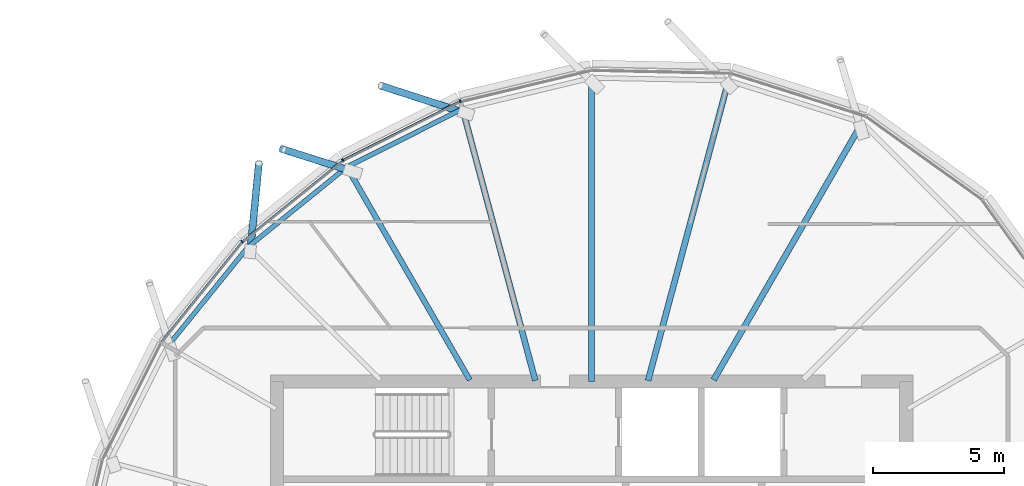
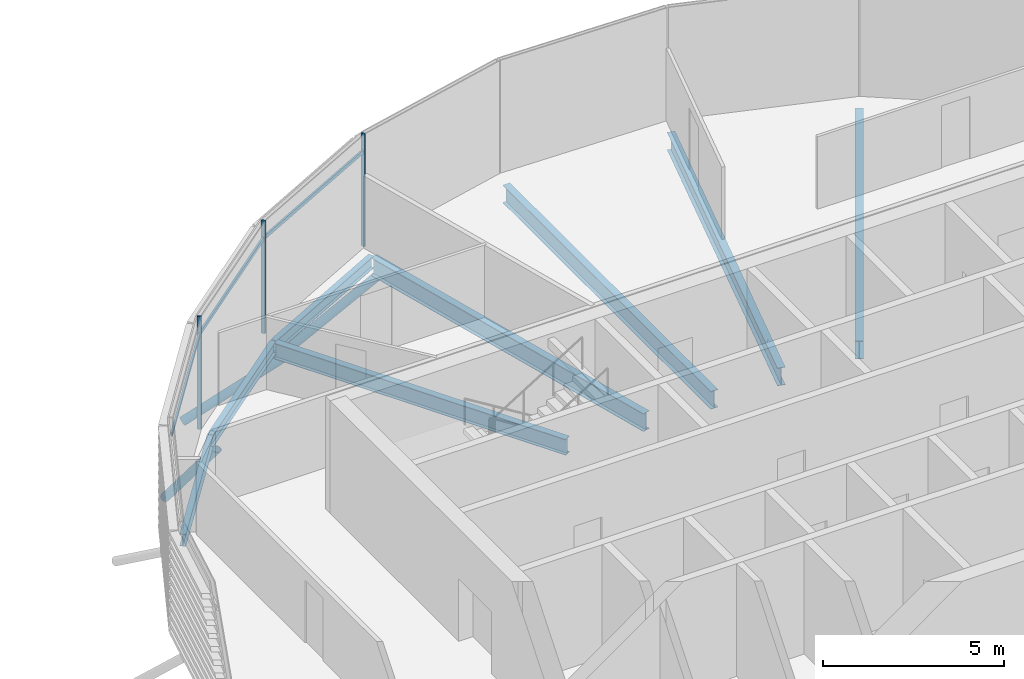
# One storey, part 13 of 38: 9 members, 8 beams, 1 element without a shape of its own.
"""IFC4 building model written with IfcOpenShell, lengths in metres."""

from ifc_helpers import new_model, si_unit, direction, frame, origin, origin_2d, place, context, subcontext, project, spatial, rectangle, hollow_circle, i_section, extrude, clip, halfspace, material, material_profile, profile_set, type_object, element, aggregate, save


model = new_model("IFC4")

# Units and contexts
model_context = context("Model", 3, precision=1e-05, world=origin(), true_north=direction((0.0, 1.0)))
body_context = subcontext(model_context, "Body", "Model", "MODEL_VIEW")
ifc_project = project(units=[si_unit("LENGTHUNIT", "METRE"), si_unit("AREAUNIT", "SQUARE_METRE"), si_unit("VOLUMEUNIT", "CUBIC_METRE"), si_unit("PLANEANGLEUNIT", "RADIAN"), si_unit("MASSUNIT", "GRAM", prefix="KILO")], contexts=[model_context])

# Site, building, storey
site_placement = place(None, origin())
site = spatial("IfcSite", under=ifc_project, at=site_placement, CompositionType="ELEMENT")
building_placement = place(site_placement, origin())
building = spatial("IfcBuilding", under=site, at=building_placement, Name="Rimbun Link Towers", CompositionType="ELEMENT")
storey_placement = place(building_placement, frame((0.0, 0.0, 218.10009765625)))
storey = spatial("IfcBuildingStorey", under=building, at=storey_placement, Name="L53", CompositionType="ELEMENT", Elevation=218.10009765625)

# Curtain wall, members
ifc_material_1 = material(Name="Aluminium 6063-T6 and low-iron glass", Category="aluminium")
curtain_wall_type = type_object("IfcCurtainWallType", Name="CW1-Z4 unitised vision wall (zone 4)", PredefinedType="NOTDEFINED", material=ifc_material_1)
curtain_wall_placement = place(storey_placement, origin())
curtain_wall = element("IfcCurtainWall", 1, at=curtain_wall_placement, inside=storey, type_object=curtain_wall_type, Name="CW1 L53 T2", PredefinedType="NOTDEFINED")
ifc_material_2 = material(Name="Aluminium 6063-T6", Category="aluminium")
ifc_material_profile_1 = material_profile(ifc_material_2, rectangle(XDim=0.1201171875, YDim=0.06005859375, at=origin_2d()), Name="MULLION 60X120")
ifc_profile_set_1 = profile_set([ifc_material_profile_1], Name="Aluminium 6063-T6")
member_type_1 = type_object("IfcMemberType", Name="CW1 mullion 60X120", PredefinedType="MULLION", material=ifc_profile_set_1)
member_1_placement = place(storey_placement, frame((26.734375, 18.697998046875, 0.0), z_axis=(0.0, 0.0, 1.0), x_axis=(-0.342959504693, 0.939350189301, 0.0)))
member_1 = element("IfcMember", 2, at=member_1_placement, type_object=member_type_1, Name="CW1 mullion", PredefinedType="MULLION", context=body_context, shape_type="SweptSolid", body=[
    extrude(rectangle(XDim=0.1201171875, YDim=0.06005859375, at=origin_2d()), origin(), (0.0, 0.0, 1.0), 3.7998046875),
])
member_2_placement = place(storey_placement, frame((22.2509765625, 16.44677734375, 0.0), z_axis=(0.0, 0.0, 1.0), x_axis=(-0.542100279911, 0.84031380241, 0.0)))
member_2 = element("IfcMember", 3, at=member_2_placement, type_object=member_type_1, Name="CW1 mullion", PredefinedType="MULLION", context=body_context, shape_type="SweptSolid", body=[
    extrude(rectangle(XDim=0.1201171875, YDim=0.06005859375, at=origin_2d()), origin(), (0.0, 0.0, 1.0), 3.7998046875),
])
member_3_placement = place(storey_placement, frame((18.411376953125, 13.338623046875, 0.0), z_axis=(0.0, 0.0, 1.0), x_axis=(-0.707106781187, 0.707106781187, 0.0)))
member_3 = element("IfcMember", 4, at=member_3_placement, type_object=member_type_1, Name="CW1 mullion", PredefinedType="MULLION", context=body_context, shape_type="SweptSolid", body=[
    extrude(rectangle(XDim=0.1201171875, YDim=0.06005859375, at=origin_2d()), origin(), (0.0, 0.0, 1.0), 3.7998046875),
])
ifc_material_3 = material(Name="Aluminium 6063-T6", Category="aluminium")
ifc_material_profile_2 = material_profile(ifc_material_3, rectangle(XDim=0.06005859375, YDim=0.1201171875, at=origin_2d()), Name="TRANSOM 60X120")
ifc_profile_set_2 = profile_set([ifc_material_profile_2], Name="Aluminium 6063-T6")
member_type_2 = type_object("IfcMemberType", Name="CW1 transom 60X120", PredefinedType="USERDEFINED", material=ifc_profile_set_2)
member_4_placement = place(storey_placement, frame((22.284423828125, 16.461669921875, 3.199951171875), z_axis=(0.893645525602, 0.448773522583, 0.0), x_axis=(-0.448773522583, 0.893645525602, 0.0)))
member_4 = element("IfcMember", 5, at=member_4_placement, type_object=member_type_2, Name="CW1 transom", ObjectType="TRANSOM", PredefinedType="USERDEFINED", context=body_context, shape_type="SweptSolid", body=[
    extrude(rectangle(XDim=0.06005859375, YDim=0.1201171875, at=origin_2d()), origin(), (0.0, 0.0, 1.0), 4.943603515625),
])
member_5_placement = place(storey_placement, frame((18.440673828125, 13.360107421875, 3.199951171875), z_axis=(0.777254215196, 0.629186685301, 0.0), x_axis=(-0.629186685301, 0.777254215196, 0.0)))
member_5 = element("IfcMember", 6, at=member_5_placement, type_object=member_type_2, Name="CW1 transom", ObjectType="TRANSOM", PredefinedType="USERDEFINED", context=body_context, shape_type="SweptSolid", body=[
    extrude(rectangle(XDim=0.06005859375, YDim=0.1201171875, at=origin_2d()), origin(), (0.0, 0.0, 1.0), 4.867431640625),
])
member_6_placement = place(storey_placement, frame((15.327392578125, 9.526123046875, 3.199951171875), z_axis=(0.629186685301, 0.777254215196, 0.0), x_axis=(-0.777254215196, 0.629186685301, 0.0)))
member_6 = element("IfcMember", 7, at=member_6_placement, type_object=member_type_2, Name="CW1 transom", ObjectType="TRANSOM", PredefinedType="USERDEFINED", context=body_context, shape_type="SweptSolid", body=[
    extrude(rectangle(XDim=0.06005859375, YDim=0.1201171875, at=origin_2d()), origin(), (0.0, 0.0, 1.0), 4.867431640625),
])
aggregate(curtain_wall, [member_1, member_2, member_3, member_4, member_5, member_6])

# Members
ifc_material_4 = material(Name="Steel S355J2H", Category="steel")
ifc_material_profile_3 = material_profile(ifc_material_4, hollow_circle(Radius=0.136474609375, WallThickness=0.012451171875, at=origin_2d()), Name="CHS 273x12.5")
ifc_profile_set_3 = profile_set([ifc_material_profile_3], Name="Steel S355J2H")
member_type_3 = type_object("IfcMemberType", Name="Floor edge link CHS 273x12.5", PredefinedType="BRACE", material=ifc_profile_set_3)
member_7_placement = place(storey_placement, frame((26.857421875, 18.259521484375, -0.848388671875), z_axis=(-0.732759520962, 0.237322806789, -0.637762784911), x_axis=(-0.308118265011, -0.95134806184, 0.0)))
element("IfcMember", 8, at=member_7_placement, inside=storey, type_object=member_type_3, Name="Floor edge link T2 L53 04", PredefinedType="BRACE", context=body_context, shape_type="Clipping", body=[
    clip(extrude(hollow_circle(Radius=0.136474609375, WallThickness=0.012451171875, at=origin_2d()), frame((0.0, 0.0, -0.345458984375)), (0.0, 0.0, 1.0), 4.678466796875), halfspace(frame((0.0, 0.0, -0.16259765625), z_axis=(0.0, 0.770232841537, -0.637762784911)), False)),
])
member_8_placement = place(storey_placement, frame((22.480224609375, 16.055908203125, -0.7900390625), z_axis=(-0.815484847384, 0.258961588738, -0.517613136663), x_axis=(-0.302661427475, -0.953098137822, 0.0)))
element("IfcMember", 9, at=member_8_placement, inside=storey, type_object=member_type_3, Name="Floor edge link T2 L53 05", PredefinedType="BRACE", context=body_context, shape_type="Clipping", body=[
    clip(extrude(hollow_circle(Radius=0.136474609375, WallThickness=0.012451171875, at=origin_2d()), frame((0.0, 0.0, -0.470703125)), (0.0, 0.0, 1.0), 3.620361328125), halfspace(frame((0.0, 0.0, -0.221923828125), z_axis=(0.0, 0.855614773572, -0.517613136663)), False)),
])
member_9_placement = place(storey_placement, frame((18.73046875, 13.01953125, -0.638671875), z_axis=(0.065364207634, 0.665575586829, -0.743462614108), x_axis=(-0.995212292763, 0.09773685248, 0.0)))
element("IfcMember", 10, at=member_9_placement, inside=storey, type_object=member_type_3, Name="Floor edge link T2 L53 06", PredefinedType="BRACE", context=body_context, shape_type="Clipping", body=[
    clip(extrude(hollow_circle(Radius=0.136474609375, WallThickness=0.012451171875, at=origin_2d()), frame((0.0, 0.0, -0.259033203125)), (0.0, 0.0, 1.0), 5.23046875), halfspace(frame((0.0, 0.0, -0.121337890625), z_axis=(0.0, 0.668777497695, -0.743462614108)), False)),
])

# Beams
ifc_material_5 = material(Name="Steel S355J2", Category="steel")
ifc_material_profile_4 = material_profile(ifc_material_5, i_section(OverallWidth=0.177978515625, OverallDepth=0.406494140625, WebThickness=0.0078125, FlangeThickness=0.0126953125, at=origin_2d()), Name="UB 406x178x60")
ifc_profile_set_4 = profile_set([ifc_material_profile_4], Name="Steel S355J2")
beam_type_1 = type_object("IfcBeamType", Name="UB 406x178x60", PredefinedType="BEAM", material=ifc_profile_set_4)
beam_1_placement = place(storey_placement, frame((26.81103515625, 18.389892578125, -0.34326171875), z_axis=(-0.89342159775, -0.449219154392, 0.0), x_axis=(0.449219154392, -0.89342159775, 0.0)))
element("IfcBeam", 11, at=beam_1_placement, inside=storey, type_object=beam_type_1, Name="Edge beam T2 L53 04", PredefinedType="BEAM", context=body_context, shape_type="SweptSolid", body=[
    extrude(i_section(OverallWidth=0.177978515625, OverallDepth=0.406494140625, WebThickness=0.0078125, FlangeThickness=0.0126953125, at=origin_2d()), origin(), (0.0, 0.0, 1.0), 4.915283203125),
])
for number, where, z_axis, x_axis, name in (
    (12, (22.40185546875, 16.17041015625, -0.34326171875), (-0.777263664038, -0.629175012668, 0.0), (0.629175012668, -0.777263664038, 0.0), "Edge beam T2 L53 05"),
    (13, (18.625, 13.1103515625, -0.34326171875), (-0.629175012668, -0.777263664038, 0.0), (0.777263664038, -0.629175012668, 0.0), "Edge beam T2 L53 06"),
):
    element("IfcBeam", number, at=place(storey_placement, frame(where, z_axis=z_axis, x_axis=x_axis)), inside=storey, type_object=beam_type_1, Name=name, PredefinedType="BEAM", context=body_context, shape_type="SweptSolid", body=[
        extrude(i_section(OverallWidth=0.177978515625, OverallDepth=0.406494140625, WebThickness=0.0078125, FlangeThickness=0.0126953125, at=origin_2d()), origin(), (0.0, 0.0, 1.0), 4.84033203125),
    ])
ifc_material_6 = material(Name="Steel S355J2", Category="steel")
ifc_material_profile_5 = material_profile(ifc_material_6, i_section(OverallWidth=0.209228515625, OverallDepth=0.533203125, WebThickness=0.010009765625, FlangeThickness=0.015625, at=origin_2d()), Name="UB 533x210x92")
ifc_profile_set_5 = profile_set([ifc_material_profile_5], Name="Steel S355J2")
beam_type_2 = type_object("IfcBeamType", Name="UB 533x210x92", PredefinedType="BEAM", material=ifc_profile_set_5)
beam_2_placement = place(storey_placement, frame((27.1005859375, 8.05322265625, -0.406494140625), z_axis=(-0.500016644261, 0.866015794002, 0.0), x_axis=(-0.866015794002, -0.500016644261, 0.0)))
element("IfcBeam", 14, at=beam_2_placement, inside=storey, type_object=beam_type_2, Name="Radial beam T2 L53 05", PredefinedType="BEAM", context=body_context, shape_type="SweptSolid", body=[
    extrude(i_section(OverallWidth=0.209228515625, OverallDepth=0.533203125, WebThickness=0.010009765625, FlangeThickness=0.015625, at=origin_2d()), origin(), (0.0, 0.0, 1.0), 9.290771484375),
])
ifc_material_7 = material(Name="Steel S355J2", Category="steel")
ifc_material_profile_6 = material_profile(ifc_material_7, i_section(OverallWidth=0.2275390625, OverallDepth=0.6025390625, WebThickness=0.010498046875, FlangeThickness=0.014892578125, at=origin_2d()), Name="UB 610x229x101")
ifc_profile_set_6 = profile_set([ifc_material_profile_6], Name="Steel S355J2")
beam_type_3 = type_object("IfcBeamType", Name="UB 610x229x101", PredefinedType="BEAM", material=ifc_profile_set_6)
beam_3_placement = place(storey_placement, frame((36.402099609375, 8.057861328125, -0.44140625), z_axis=(0.500017890945, 0.866015074196, 0.0), x_axis=(-0.866015074196, 0.500017890945, 0.0)))
element("IfcBeam", 15, at=beam_3_placement, inside=storey, type_object=beam_type_3, Name="Radial beam T2 L53 01", PredefinedType="BEAM", context=body_context, shape_type="SweptSolid", body=[
    extrude(i_section(OverallWidth=0.2275390625, OverallDepth=0.6025390625, WebThickness=0.010498046875, FlangeThickness=0.014892578125, at=origin_2d()), origin(), (0.0, 0.0, 1.0), 11.23046875),
])
beam_4_placement = place(storey_placement, frame((33.901611328125, 8.030517578125, -0.44140625), z_axis=(0.258831903723, 0.96592238074, 0.0), x_axis=(-0.96592238074, 0.258831903723, 0.0)))
element("IfcBeam", 16, at=beam_4_placement, inside=storey, type_object=beam_type_3, Name="Radial beam T2 L53 02", PredefinedType="BEAM", context=body_context, shape_type="SweptSolid", body=[
    extrude(i_section(OverallWidth=0.2275390625, OverallDepth=0.6025390625, WebThickness=0.010498046875, FlangeThickness=0.014892578125, at=origin_2d()), origin(), (0.0, 0.0, 1.0), 11.75927734375),
])
beam_5_placement = place(storey_placement, frame((31.75, 8.0009765625, -0.44140625), z_axis=(0.0, 1.0, 0.0), x_axis=(-1.0, 0.0, 0.0)))
element("IfcBeam", 17, at=beam_5_placement, inside=storey, type_object=beam_type_3, Name="Radial beam T2 L53 03", PredefinedType="BEAM", context=body_context, shape_type="SweptSolid", body=[
    extrude(i_section(OverallWidth=0.2275390625, OverallDepth=0.6025390625, WebThickness=0.010498046875, FlangeThickness=0.014892578125, at=origin_2d()), origin(), (0.0, 0.0, 1.0), 11.48779296875),
])
beam_6_placement = place(storey_placement, frame((29.598388671875, 8.030517578125, -0.44140625), z_axis=(-0.25882783967, 0.965923469749, 0.0), x_axis=(-0.965923469749, -0.25882783967, 0.0)))
element("IfcBeam", 18, at=beam_6_placement, inside=storey, type_object=beam_type_3, Name="Radial beam T2 L53 04", PredefinedType="BEAM", context=body_context, shape_type="SweptSolid", body=[
    extrude(i_section(OverallWidth=0.2275390625, OverallDepth=0.6025390625, WebThickness=0.010498046875, FlangeThickness=0.014892578125, at=origin_2d()), origin(), (0.0, 0.0, 1.0), 10.639892578125),
])

save(model, "model.ifc")
